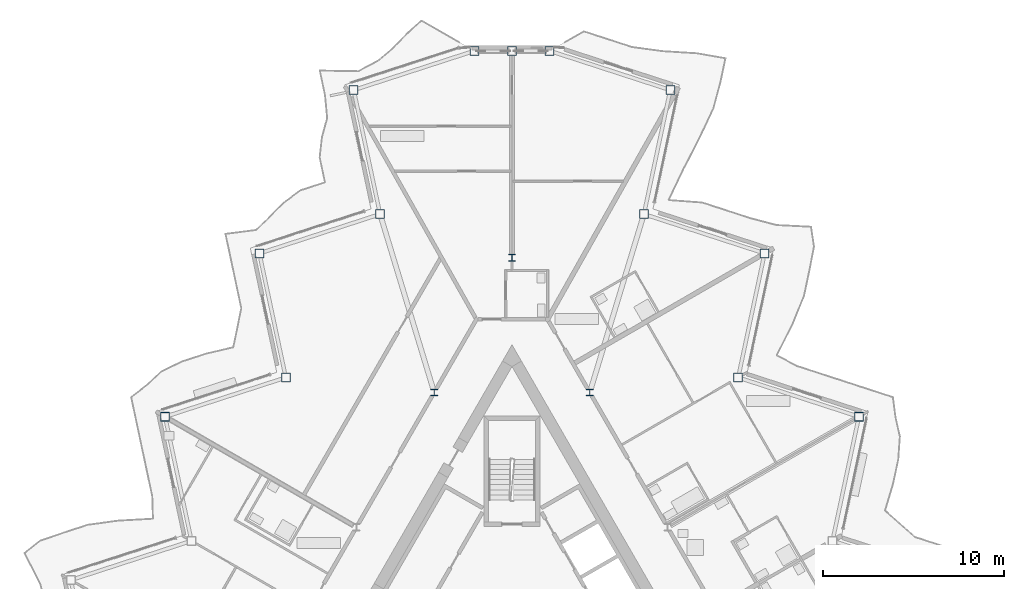
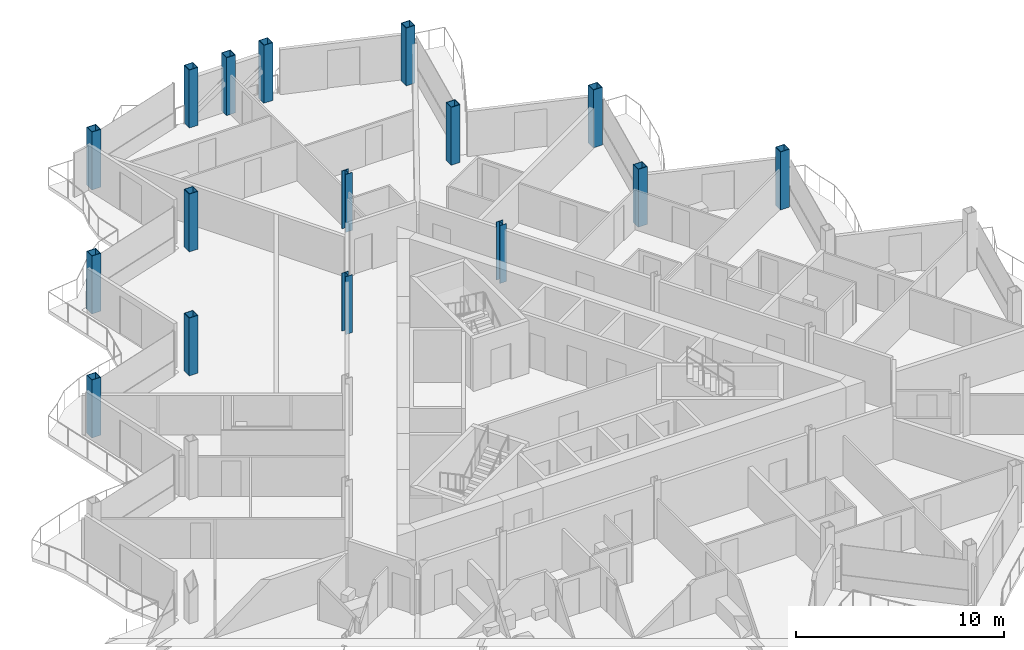
# One storey, part 3 of 26: 16 columns.
"""IFC4 building model written with IfcOpenShell, lengths in metres."""

from ifc_helpers import new_model, si_unit, direction, frame, origin, origin_2d, place, context, subcontext, project, spatial, hollow_rectangle, i_section, extrude, material, material_profile, profile_set, type_object, element, save


model = new_model("IFC4")

# Units and contexts
model_context = context("Model", 3, precision=1e-05, world=origin(), true_north=direction((0.0, 1.0)))
body_context = subcontext(model_context, "Body", "Model", "MODEL_VIEW")
ifc_project = project(units=[si_unit("LENGTHUNIT", "METRE"), si_unit("AREAUNIT", "SQUARE_METRE"), si_unit("VOLUMEUNIT", "CUBIC_METRE"), si_unit("PLANEANGLEUNIT", "RADIAN"), si_unit("MASSUNIT", "GRAM", prefix="KILO")], contexts=[model_context])

# Site, building, storey
site_placement = place(None, origin())
site = spatial("IfcSite", under=ifc_project, at=site_placement, CompositionType="ELEMENT")
building_placement = place(site_placement, origin())
building = spatial("IfcBuilding", under=site, at=building_placement, Name="Cormorant Prow Tower", CompositionType="ELEMENT")
storey_placement = place(building_placement, frame((0.0, 0.0, 371.199951171875)))
storey = spatial("IfcBuildingStorey", under=building, at=storey_placement, Name="L83", CompositionType="ELEMENT", Elevation=371.199951171875)

# Columns
ifc_material_1 = material(Name="Structural steel ASTM A572 Gr 50", Category="steel")
ifc_material_profile_1 = material_profile(ifc_material_1, hollow_rectangle(XDim=0.5, YDim=0.5, WallThickness=0.030029296875, at=origin_2d()), Name="Box 500x500x30")
ifc_profile_set_1 = profile_set([ifc_material_profile_1], Name="Structural steel ASTM A572 Gr 50")
column_type_1 = type_object("IfcColumnType", Name="Perimeter box column 500x500x30", PredefinedType="COLUMN", material=ifc_profile_set_1)
for number, where, z_axis, x_axis, name in (
    (1, (19.128662109375, 11.0439453125, 0.0), (0.0, 0.0, 1.0), (1.0, 0.0, 0.0), "Perimeter column C7 at ENE05 L83"),
    (2, (12.473876953125, 13.206298828125, 0.0), (0.0, 0.0, 1.0), (1.0, 0.0, 0.0), "Perimeter column C7 at ENE06 L83"),
    (3, (13.9287109375, 20.050537109375, 0.0), (0.0, 0.0, 1.0), (1.0, 0.0, 0.0), "Perimeter column C7 at ENE07 L83"),
    (4, (7.273681640625, 22.212890625, 0.0), (0.0, 0.0, 1.0), (1.0, 0.0, 0.0), "Perimeter column C7 at ENE08 L83"),
    (5, (8.728515625, 29.05712890625, 0.0), (0.0, 0.0, 1.0), (1.0, 0.0, 0.0), "Perimeter column C7 at ENE09 L83"),
    (6, (2.07373046875, 31.219482421875, 0.0), (0.0, 0.0, 1.0), (1.0, 0.0, 0.0), "Perimeter column C7 at N00 L83"),
    (7, (0.0, 31.219482421875, 0.0), (0.0, 0.0, 1.0), (1.0, 0.0, 0.0), "Perimeter column C7 at N01 L83"),
    (8, (-2.07373046875, 31.219482421875, 0.0), (0.0, 0.0, 1.0), (1.0, 0.0, 0.0), "Perimeter column C7 at WNW00 L83"),
    (9, (-8.728515625, 29.05712890625, 0.0), (0.0, 0.0, 1.0), (1.0, 0.0, 0.0), "Perimeter column C7 at WNW01 L83"),
    (10, (-7.273681640625, 22.212890625, 0.0), (0.0, 0.0, 1.0), (1.0, 0.0, 0.0), "Perimeter column C7 at WNW02 L83"),
    (11, (-13.9287109375, 20.050537109375, 0.0), (0.0, 0.0, 1.0), (1.0, 0.0, 0.0), "Perimeter column C7 at WNW03 L83"),
    (12, (-12.473876953125, 13.206298828125, 0.0), (0.0, 0.0, 1.0), (1.0, 0.0, 0.0), "Perimeter column C7 at WNW04 L83"),
    (13, (-19.128662109375, 11.0439453125, 0.0), (0.0, 0.0, 1.0), (1.0, 0.0, 0.0), "Perimeter column C7 at WNW05 L83"),
):
    element("IfcColumn", number, at=place(storey_placement, frame(where, z_axis=z_axis, x_axis=x_axis)), inside=storey, type_object=column_type_1, Name=name, PredefinedType="COLUMN", context=body_context, shape_type="SweptSolid", body=[
        extrude(hollow_rectangle(XDim=0.5, YDim=0.5, WallThickness=0.030029296875, at=origin_2d()), origin(), (0.0, 0.0, 1.0), 3.400146484375),
    ])
ifc_material_2 = material(Name="Structural steel ASTM A992 Gr 50", Category="steel")
ifc_material_profile_2 = material_profile(ifc_material_2, i_section(OverallWidth=0.3740234375, OverallDepth=0.372314453125, WebThickness=0.016357421875, FlangeThickness=0.026123046875, at=origin_2d()), Name="W14x132")
ifc_profile_set_2 = profile_set([ifc_material_profile_2], Name="Structural steel ASTM A992 Gr 50")
column_type_2 = type_object("IfcColumnType", Name="Ring column W14x132", PredefinedType="COLUMN", material=ifc_profile_set_2)
for number, where, z_axis, x_axis, name in (
    (14, (0.0, 19.81103515625, 0.0), (0.0, 0.0, 1.0), (1.0, 0.0, 0.0), "Ring column 1 L83"),
    (15, (-4.289306640625, 12.3818359375, 0.0), (0.0, 0.0, 1.0), (1.0, 0.0, 0.0), "Ring column 2 L83"),
    (16, (4.289306640625, 12.3818359375, 0.0), (0.0, 0.0, 1.0), (1.0, 0.0, 0.0), "Ring column 12 L83"),
):
    element("IfcColumn", number, at=place(storey_placement, frame(where, z_axis=z_axis, x_axis=x_axis)), inside=storey, type_object=column_type_2, Name=name, PredefinedType="COLUMN", context=body_context, shape_type="SweptSolid", body=[
        extrude(i_section(OverallWidth=0.3740234375, OverallDepth=0.372314453125, WebThickness=0.016357421875, FlangeThickness=0.026123046875, at=origin_2d()), origin(), (0.0, 0.0, 1.0), 3.400146484375),
    ])

save(model, "model.ifc")
